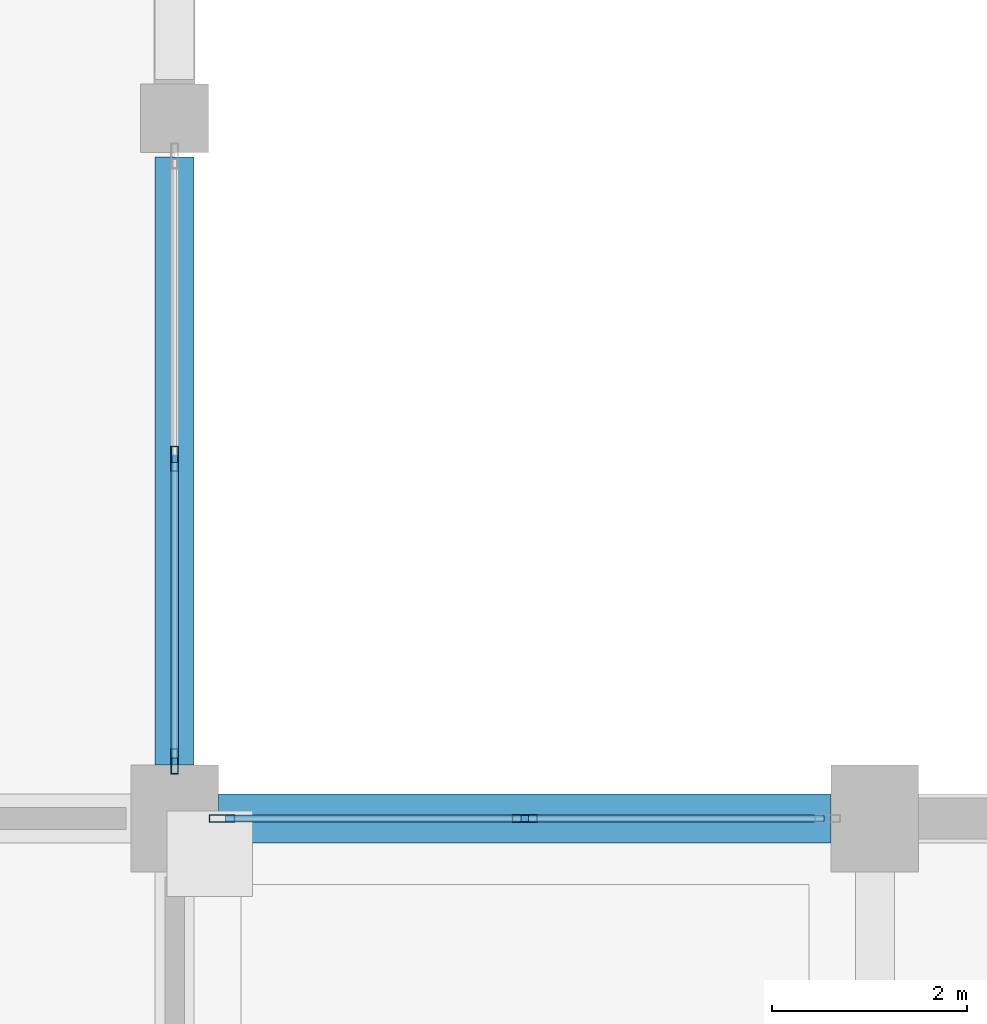
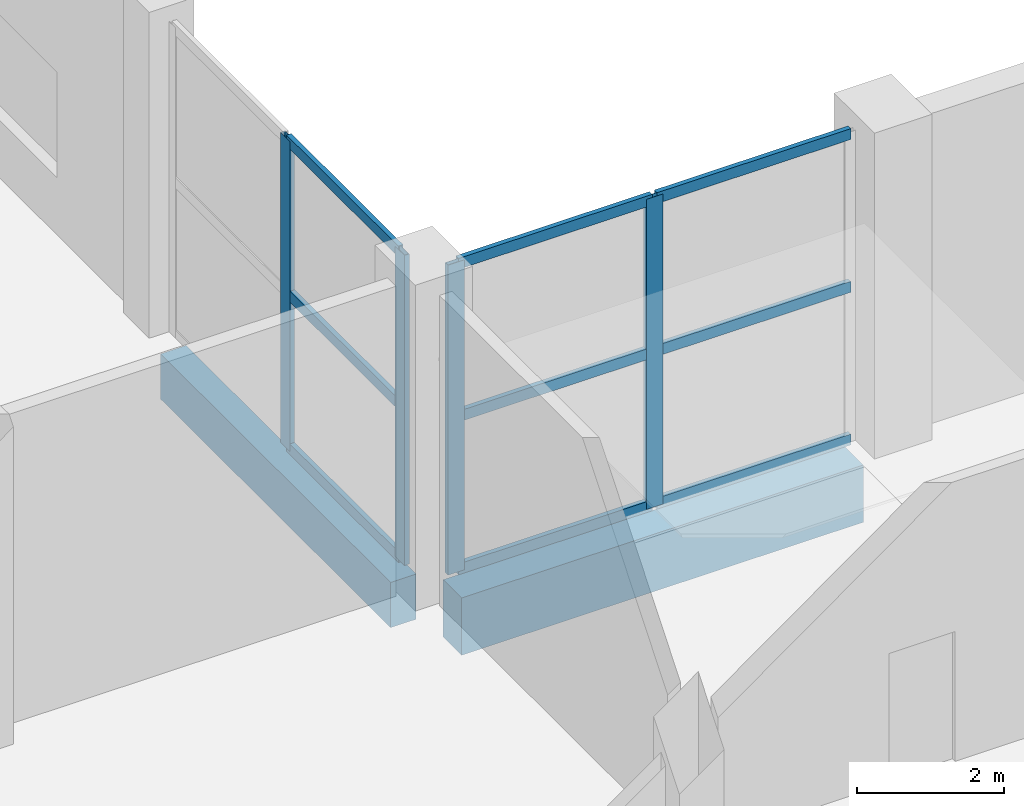
# One storey, part 20 of 70: 13 members, 2 beams, 2 elements without a shape of their own.
"""IFC4 building model written with IfcOpenShell, lengths in metres."""

from ifc_helpers import new_model, si_unit, direction, frame, origin, origin_2d, place, context, subcontext, project, spatial, rectangle, hollow_rectangle, extrude, material, material_profile, profile_set, type_object, element, aggregate, save


model = new_model("IFC4")

# Units and contexts
model_context = context("Model", 3, precision=1e-05, world=origin(), true_north=direction((0.0, 1.0)))
body_context = subcontext(model_context, "Body", "Model", "MODEL_VIEW")
ifc_project = project(units=[si_unit("LENGTHUNIT", "METRE"), si_unit("AREAUNIT", "SQUARE_METRE"), si_unit("VOLUMEUNIT", "CUBIC_METRE"), si_unit("PLANEANGLEUNIT", "RADIAN"), si_unit("MASSUNIT", "GRAM", prefix="KILO")], contexts=[model_context])

# Site, building, storey
site_placement = place(None, origin())
site = spatial("IfcSite", under=ifc_project, at=site_placement, CompositionType="ELEMENT")
building_placement = place(site_placement, origin())
building = spatial("IfcBuilding", under=site, at=building_placement, Name="Vesperath Aquatics Centre", CompositionType="ELEMENT")
storey_placement = place(building_placement, origin())
storey = spatial("IfcBuildingStorey", under=building, at=storey_placement, Name="L00", CompositionType="ELEMENT", Elevation=0.0)

# Beams
ifc_material_1 = material(Name="Concrete C40", Category="concrete")
ifc_material_profile_1 = material_profile(ifc_material_1, rectangle(XDim=0.5, YDim=0.949951171875, at=origin_2d()), Name="RC 500x950")
ifc_profile_set_1 = profile_set([ifc_material_profile_1], Name="Concrete C40")
beam_type_1 = type_object("IfcBeamType", Name="BM-G02", PredefinedType="BEAM", material=ifc_profile_set_1)
beam_1_placement = place(storey_placement, frame((58.050048828125, 86.39990234375, -0.7548828125), z_axis=(1.0, 0.0, 0.0), x_axis=(0.0, 1.0, 0.0)))
element("IfcBeam", 1, at=beam_1_placement, inside=storey, type_object=beam_type_1, Name="Floor Girder B02 L00 N 9-10", PredefinedType="BEAM", context=body_context, shape_type="SweptSolid", body=[
    extrude(rectangle(XDim=0.5, YDim=0.949951171875, at=origin_2d()), origin(), (0.0, 0.0, 1.0), 6.300048828125),
])
ifc_material_2 = material(Name="Concrete C35", Category="concrete")
ifc_material_profile_2 = material_profile(ifc_material_2, rectangle(XDim=0.39990234375, YDim=0.75, at=origin_2d()), Name="RC 400x750")
ifc_profile_set_2 = profile_set([ifc_material_profile_2], Name="Concrete C35")
beam_type_2 = type_object("IfcBeamType", Name="BM-G04", PredefinedType="BEAM", material=ifc_profile_set_2)
beam_2_placement = place(storey_placement, frame((57.60009765625, 86.949951171875, -0.655029296875), z_axis=(0.0, 1.0, 0.0), x_axis=(-1.0, 0.0, 0.0)))
element("IfcBeam", 2, at=beam_2_placement, inside=storey, type_object=beam_type_2, Name="Floor Girder B04 L00 9 N-P", PredefinedType="BEAM", context=body_context, shape_type="SweptSolid", body=[
    extrude(rectangle(XDim=0.39990234375, YDim=0.75, at=origin_2d()), origin(), (0.0, 0.0, 1.0), 6.25),
])

# Curtain wall, members
ifc_material_3 = material(Name="Thermally broken anodised bronze aluminium curtain wall", Category="aluminium")
curtain_wall_type = type_object("IfcCurtainWallType", Name="CW-01", PredefinedType="NOTDEFINED", material=ifc_material_3)
curtain_wall_1_placement = place(storey_placement, origin())
curtain_wall_1 = element("IfcCurtainWall", 3, at=curtain_wall_1_placement, inside=storey, type_object=curtain_wall_type, Name="Facade Curtain Wall CW01 L00_N_08_12", PredefinedType="NOTDEFINED")
ifc_material_4 = material(Name="Thermally broken anodised aluminium", Category="aluminium")
ifc_material_profile_3 = material_profile(ifc_material_4, hollow_rectangle(XDim=0.074951171875, YDim=0.260009765625, WallThickness=0.006103515625, at=origin_2d()), Name="CWM 75x260x6")
ifc_profile_set_3 = profile_set([ifc_material_profile_3], Name="Thermally broken anodised aluminium")
member_type_1 = type_object("IfcMemberType", Name="MB-CWM1", PredefinedType="MULLION", material=ifc_profile_set_3)
member_1_placement = place(storey_placement, frame((58.08740234375, 86.39990234375, 0.0), z_axis=(0.0, 0.0, 1.0), x_axis=(0.0, 1.0, 0.0)))
member_1 = element("IfcMember", 4, at=member_1_placement, type_object=member_type_1, Name="CW01 mullion 1", PredefinedType="MULLION", context=body_context, shape_type="SweptSolid", body=[
    extrude(hollow_rectangle(XDim=0.074951171875, YDim=0.260009765625, WallThickness=0.006103515625, at=origin_2d()), origin(), (0.0, 0.0, 1.0), 5.139892578125),
])
member_2_placement = place(storey_placement, frame((61.199951171875, 86.39990234375, 0.0), z_axis=(0.0, 0.0, 1.0), x_axis=(0.0, 1.0, 0.0)))
member_2 = element("IfcMember", 5, at=member_2_placement, type_object=member_type_1, Name="CW01 mullion 2", PredefinedType="MULLION", context=body_context, shape_type="SweptSolid", body=[
    extrude(hollow_rectangle(XDim=0.074951171875, YDim=0.260009765625, WallThickness=0.006103515625, at=origin_2d()), origin(), (0.0, 0.0, 1.0), 5.139892578125),
])

curtain_wall_2_placement = place(storey_placement, origin())
curtain_wall_2 = element("IfcCurtainWall", 6, at=curtain_wall_2_placement, inside=storey, type_object=curtain_wall_type, Name="Facade Curtain Wall CW01 L00_E_08_12", PredefinedType="NOTDEFINED")
member_3_placement = place(storey_placement, frame((57.60009765625, 86.987548828125, 0.0), z_axis=(0.0, 0.0, 1.0), x_axis=(-1.0, 0.0, 0.0)))
member_3 = element("IfcMember", 7, at=member_3_placement, type_object=member_type_1, Name="CW01 mullion 1", PredefinedType="MULLION", context=body_context, shape_type="SweptSolid", body=[
    extrude(hollow_rectangle(XDim=0.074951171875, YDim=0.260009765625, WallThickness=0.006103515625, at=origin_2d()), origin(), (0.0, 0.0, 1.0), 5.139892578125),
])
member_4_placement = place(storey_placement, frame((57.60009765625, 90.10009765625, 0.0), z_axis=(0.0, 0.0, 1.0), x_axis=(-1.0, 0.0, 0.0)))
member_4 = element("IfcMember", 8, at=member_4_placement, type_object=member_type_1, Name="CW01 mullion 2", PredefinedType="MULLION", context=body_context, shape_type="SweptSolid", body=[
    extrude(hollow_rectangle(XDim=0.074951171875, YDim=0.260009765625, WallThickness=0.006103515625, at=origin_2d()), origin(), (0.0, 0.0, 1.0), 5.139892578125),
])

# Member
ifc_material_profile_4 = material_profile(ifc_material_4, hollow_rectangle(XDim=0.074951171875, YDim=0.179931640625, WallThickness=0.0048828125, at=origin_2d()), Name="CWT 75x180x5")
ifc_profile_set_4 = profile_set([ifc_material_profile_4], Name="Thermally broken anodised aluminium")
member_type_2 = type_object("IfcMemberType", Name="MB-CWT1", PredefinedType="USERDEFINED", material=ifc_profile_set_4)
member_5_placement = place(storey_placement, frame((58.125, 86.39990234375, 0.03759765625), z_axis=(1.0, 0.0, 0.0), x_axis=(0.0, 1.0, 0.0)))
member_5 = element("IfcMember", 9, at=member_5_placement, type_object=member_type_2, Name="CW01 transom 1.1", ObjectType="TRANSOM", PredefinedType="USERDEFINED", context=body_context, shape_type="SweptSolid", body=[
    extrude(hollow_rectangle(XDim=0.074951171875, YDim=0.179931640625, WallThickness=0.0048828125, at=origin_2d()), origin(), (0.0, 0.0, 1.0), 3.03759765625),
])

member_6_placement = place(storey_placement, frame((58.125, 86.39990234375, 2.570068359375), z_axis=(1.0, 0.0, 0.0), x_axis=(0.0, 1.0, 0.0)))
member_6 = element("IfcMember", 10, at=member_6_placement, type_object=member_type_2, Name="CW01 transom 1.2", ObjectType="TRANSOM", PredefinedType="USERDEFINED", context=body_context, shape_type="SweptSolid", body=[
    extrude(hollow_rectangle(XDim=0.074951171875, YDim=0.179931640625, WallThickness=0.0048828125, at=origin_2d()), origin(), (0.0, 0.0, 1.0), 3.03759765625),
])

member_7_placement = place(storey_placement, frame((58.125, 86.39990234375, 5.1025390625), z_axis=(1.0, 0.0, 0.0), x_axis=(0.0, 1.0, 0.0)))
member_7 = element("IfcMember", 11, at=member_7_placement, type_object=member_type_2, Name="CW01 transom 1.3", ObjectType="TRANSOM", PredefinedType="USERDEFINED", context=body_context, shape_type="SweptSolid", body=[
    extrude(hollow_rectangle(XDim=0.074951171875, YDim=0.179931640625, WallThickness=0.0048828125, at=origin_2d()), origin(), (0.0, 0.0, 1.0), 3.03759765625),
])

member_8_placement = place(storey_placement, frame((61.237548828125, 86.39990234375, 0.03759765625), z_axis=(1.0, 0.0, 0.0), x_axis=(0.0, 1.0, 0.0)))
member_8 = element("IfcMember", 12, at=member_8_placement, type_object=member_type_2, Name="CW01 transom 2.1", ObjectType="TRANSOM", PredefinedType="USERDEFINED", context=body_context, shape_type="SweptSolid", body=[
    extrude(hollow_rectangle(XDim=0.074951171875, YDim=0.179931640625, WallThickness=0.0048828125, at=origin_2d()), origin(), (0.0, 0.0, 1.0), 3.037353515625),
])

member_9_placement = place(storey_placement, frame((61.237548828125, 86.39990234375, 2.570068359375), z_axis=(1.0, 0.0, 0.0), x_axis=(0.0, 1.0, 0.0)))
member_9 = element("IfcMember", 13, at=member_9_placement, type_object=member_type_2, Name="CW01 transom 2.2", ObjectType="TRANSOM", PredefinedType="USERDEFINED", context=body_context, shape_type="SweptSolid", body=[
    extrude(hollow_rectangle(XDim=0.074951171875, YDim=0.179931640625, WallThickness=0.0048828125, at=origin_2d()), origin(), (0.0, 0.0, 1.0), 3.037353515625),
])

member_10_placement = place(storey_placement, frame((61.237548828125, 86.39990234375, 5.1025390625), z_axis=(1.0, 0.0, 0.0), x_axis=(0.0, 1.0, 0.0)))
member_10 = element("IfcMember", 14, at=member_10_placement, type_object=member_type_2, Name="CW01 transom 2.3", ObjectType="TRANSOM", PredefinedType="USERDEFINED", context=body_context, shape_type="SweptSolid", body=[
    extrude(hollow_rectangle(XDim=0.074951171875, YDim=0.179931640625, WallThickness=0.0048828125, at=origin_2d()), origin(), (0.0, 0.0, 1.0), 3.037353515625),
])

aggregate(curtain_wall_1, [member_1, member_2, member_5, member_6, member_7, member_8, member_9, member_10])

member_11_placement = place(storey_placement, frame((57.60009765625, 87.02490234375, 0.03759765625), z_axis=(0.0, 1.0, 0.0), x_axis=(-1.0, 0.0, 0.0)))
member_11 = element("IfcMember", 15, at=member_11_placement, type_object=member_type_2, Name="CW01 transom 1.1", ObjectType="TRANSOM", PredefinedType="USERDEFINED", context=body_context, shape_type="SweptSolid", body=[
    extrude(hollow_rectangle(XDim=0.074951171875, YDim=0.179931640625, WallThickness=0.0048828125, at=origin_2d()), origin(), (0.0, 0.0, 1.0), 3.03759765625),
])

member_12_placement = place(storey_placement, frame((57.60009765625, 87.02490234375, 2.570068359375), z_axis=(0.0, 1.0, 0.0), x_axis=(-1.0, 0.0, 0.0)))
member_12 = element("IfcMember", 16, at=member_12_placement, type_object=member_type_2, Name="CW01 transom 1.2", ObjectType="TRANSOM", PredefinedType="USERDEFINED", context=body_context, shape_type="SweptSolid", body=[
    extrude(hollow_rectangle(XDim=0.074951171875, YDim=0.179931640625, WallThickness=0.0048828125, at=origin_2d()), origin(), (0.0, 0.0, 1.0), 3.03759765625),
])

member_13_placement = place(storey_placement, frame((57.60009765625, 87.02490234375, 5.1025390625), z_axis=(0.0, 1.0, 0.0), x_axis=(-1.0, 0.0, 0.0)))
member_13 = element("IfcMember", 17, at=member_13_placement, type_object=member_type_2, Name="CW01 transom 1.3", ObjectType="TRANSOM", PredefinedType="USERDEFINED", context=body_context, shape_type="SweptSolid", body=[
    extrude(hollow_rectangle(XDim=0.074951171875, YDim=0.179931640625, WallThickness=0.0048828125, at=origin_2d()), origin(), (0.0, 0.0, 1.0), 3.03759765625),
])

aggregate(curtain_wall_2, [member_3, member_4, member_11, member_12, member_13])

save(model, "model.ifc")
